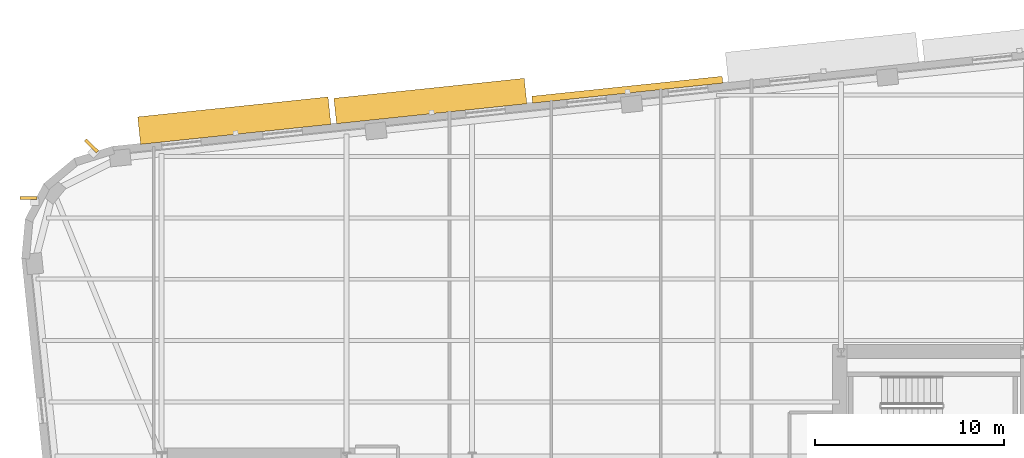
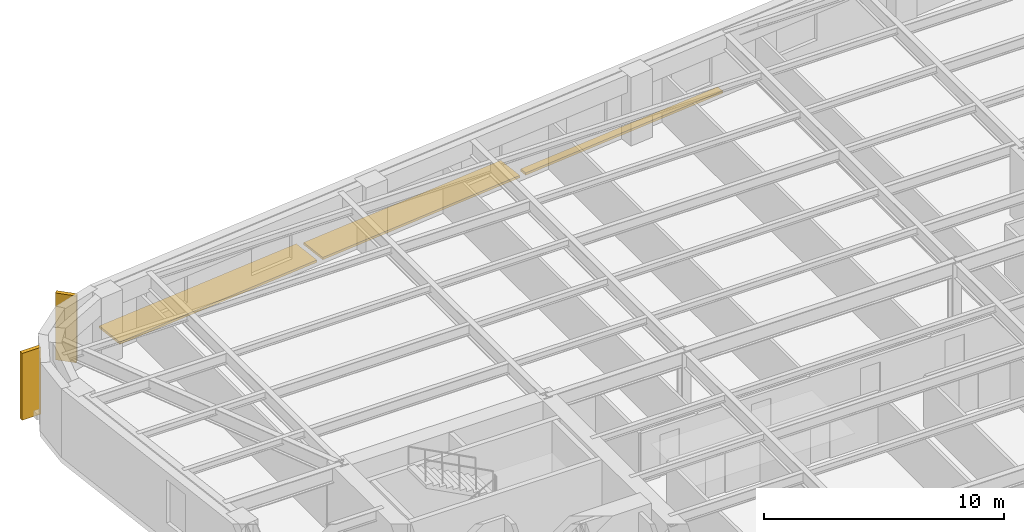
# One storey, part 13 of 15: 5 shading devices.
"""IFC4 building model written with IfcOpenShell, lengths in metres."""

import ifcopenshell
import ifcopenshell.guid

model = None  # the IFC model being written
_history = None  # IfcOwnerHistory: only IFC2X3 demands one
_inside = {}  # id of a spatial element -> (the spatial element, [elements in it])
_under = {}  # id of a project, library or spatial element -> (it, [spatial elements below it])
_declared = {}  # id of a project -> (the project, [libraries it declares])
_typed = {}  # id of a type object -> (the type object, [elements of that type])
_made_of = {}  # id of a material, layer set ... -> (it, [elements and type objects made of it])


def new_model(schema):
    """Start an empty IFC model of exactly this schema.

    Asked for "IFC4X3", IfcOpenShell would pick the latest addendum, in which some entities
    have other attributes; the version numbers below select the first issue.
    IFC2X3 requires an IfcOwnerHistory on every rooted entity: one is made here for all.
    """
    global model, _history
    if schema == "IFC4X3":
        model = ifcopenshell.file(schema_version=(4, 3, 0, 0))
    else:
        model = ifcopenshell.file(schema=schema)
    _inside.clear()
    _under.clear()
    _declared.clear()
    _typed.clear()
    _made_of.clear()
    _history = None
    if model.schema == "IFC2X3":
        org = make("IfcOrganization", Name="unknown")
        user = make(
            "IfcPersonAndOrganization",
            ThePerson=make("IfcPerson", FamilyName="unknown"),
            TheOrganization=org,
        )
        app = make(
            "IfcApplication",
            ApplicationDeveloper=org,
            Version="unknown",
            ApplicationFullName="unknown",
            ApplicationIdentifier="unknown",
        )
        _history = make(
            "IfcOwnerHistory",
            OwningUser=user,
            OwningApplication=app,
            ChangeAction="ADDED",
            CreationDate=0,
        )
    return model


def make(cls, **values):
    """One entity of the class cls with the attributes given. An attribute that is None is left unset."""
    return model.create_entity(
        cls, **{name: value for name, value in values.items() if value is not None}
    )


def rooted(cls, **values):
    """An entity with a GlobalId (a new one), such as an element, a storey or a relation."""
    return make(cls, GlobalId=ifcopenshell.guid.new(), OwnerHistory=_history, **values)


def si_unit(unit_type, name, prefix=None):
    """IfcSIUnit, for example si_unit("LENGTHUNIT", "METRE", prefix="MILLI")."""
    return make("IfcSIUnit", UnitType=unit_type, Prefix=prefix, Name=name)


def assignment(units):
    """IfcUnitAssignment: the units of a project."""
    return None if units is None else make("IfcUnitAssignment", Units=units)


def point(xyz):
    """IfcCartesianPoint."""
    return None if xyz is None else make("IfcCartesianPoint", Coordinates=xyz)


def direction(xyz):
    """IfcDirection."""
    return None if xyz is None else make("IfcDirection", DirectionRatios=xyz)


def frame(location, z_axis=None, x_axis=None):
    """IfcAxis2Placement3D, a coordinate frame: its origin and axes. An axis left out is left unset."""
    return make(
        "IfcAxis2Placement3D",
        Location=point(location),
        Axis=direction(z_axis),
        RefDirection=direction(x_axis),
    )


def frame_2d(location, x_axis=None):
    """IfcAxis2Placement2D, a coordinate frame in the plane: its origin and x axis."""
    return make(
        "IfcAxis2Placement2D", Location=point(location), RefDirection=direction(x_axis)
    )


def origin():
    """The frame at (0, 0, 0) with its axes left unset."""
    return frame((0.0, 0.0, 0.0))


def origin_2d():
    """The frame at (0, 0) in the plane with its x axis left unset."""
    return frame_2d((0.0, 0.0))


def place(relative_to, where):
    """IfcLocalPlacement: puts the frame where relative to a parent placement (None: the world)."""
    return make(
        "IfcLocalPlacement", PlacementRelTo=relative_to, RelativePlacement=where
    )


def context(
    kind, dimensions, precision=None, world=None, true_north=None, identifier=None
):
    """IfcGeometricRepresentationContext, for example the 3D "Model" context."""
    return make(
        "IfcGeometricRepresentationContext",
        ContextIdentifier=identifier,
        ContextType=kind,
        CoordinateSpaceDimension=dimensions,
        Precision=precision,
        WorldCoordinateSystem=world,
        TrueNorth=true_north,
    )


def subcontext(parent, identifier, kind, view, scale=None):
    """IfcGeometricRepresentationSubContext, for example "Body" below "Model"."""
    return make(
        "IfcGeometricRepresentationSubContext",
        ContextIdentifier=identifier,
        ContextType=kind,
        ParentContext=parent,
        TargetScale=scale,
        TargetView=view,
    )


def project(units=None, contexts=None):
    """IfcProject with its units and contexts."""
    return rooted(
        "IfcProject",
        Name="project",
        RepresentationContexts=contexts,
        UnitsInContext=assignment(units),
    )


def spatial(cls, under=None, at=None, **own):
    """A site, building, storey or space (cls), placed at a placement, below another one or the project."""
    s = rooted(cls, ObjectPlacement=at, **own)
    if under is not None:
        _under.setdefault(under.id(), (under, []))[1].append(s)
    return s


def profile(cls, at=None, kind="AREA", **sizes):
    """A parametric profile (cls). Its sizes go by their IFC names, for example OverallWidth=200.0."""
    return make(cls, ProfileType=kind, Position=at, **sizes)


def rectangle(**sizes):
    """IfcRectangleProfileDef."""
    return profile("IfcRectangleProfileDef", **sizes)


def extrude(swept, where, along, depth):
    """IfcExtrudedAreaSolid: the profile swept, set in the frame where, extruded along a direction by depth."""
    return make(
        "IfcExtrudedAreaSolid",
        SweptArea=swept,
        Position=where,
        ExtrudedDirection=direction(along),
        Depth=depth,
    )


def shape(context_of_items, identifier, shape_type, items):
    """IfcShapeRepresentation: the items that make up one representation, for example the "Body"."""
    return make(
        "IfcShapeRepresentation",
        ContextOfItems=context_of_items,
        RepresentationIdentifier=identifier,
        RepresentationType=shape_type,
        Items=items,
    )


def material(Name=None, Category=None):
    """IfcMaterial."""
    return make("IfcMaterial", Name=Name, Category=Category)


def made_of(thing, what):
    """Note that an element or type object is made of a material, layer set ...; save() writes the relation."""
    if what is not None:
        _made_of.setdefault(what.id(), (what, []))[1].append(thing)
    return thing


def type_object(cls, material=None, **own):
    """A type object (cls), such as IfcWallType, which elements share."""
    return made_of(rooted(cls, **own), material)


def element(
    cls,
    number,
    at=None,
    inside=None,
    cuts=None,
    type_object=None,
    material=None,
    context=None,
    identifier="Body",
    shape_type=None,
    held_by="IfcProductDefinitionShape",
    body=None,
    shapes=None,
    **own,
):
    """One element of the class cls, such as IfcWall. Its Tag is "e" and its number.

    at: its placement. inside: the storey or other place that contains it. cuts: it is an
    opening in that element (IfcRelVoidsElement). A single representation is given by context,
    identifier, shape_type and body (its items); several are given by shapes. held_by: the class
    of the entity that holds the representations. save() writes the other relations.
    """
    e = rooted(cls, Tag="e%d" % number, ObjectPlacement=at, **own)
    if body is not None:
        shapes = [shape(context, identifier, shape_type, body)]
    if shapes is not None:
        e.Representation = make(held_by, Representations=shapes)
    if inside is not None:
        _inside.setdefault(inside.id(), (inside, []))[1].append(e)
    if cuts is not None:
        rooted(
            "IfcRelVoidsElement", RelatingBuildingElement=cuts, RelatedOpeningElement=e
        )
    if type_object is not None:
        _typed.setdefault(type_object.id(), (type_object, []))[1].append(e)
    return made_of(e, material)


def aggregate(whole, parts):
    """IfcRelAggregates: a whole, such as a stair, and the parts it consists of."""
    return rooted("IfcRelAggregates", RelatingObject=whole, RelatedObjects=parts)


def save(model, path):
    """Write the relations noted so far, then the file.

    IfcRelAggregates (storeys below a building ...), IfcRelContainedInSpatialStructure (elements
    in a storey), IfcRelDefinesByType, IfcRelAssociatesMaterial and IfcRelDeclares: one each for
    every whole, place, type object, material and project.
    """
    for whole, parts in _under.values():
        aggregate(whole, parts)
    for where, things in _inside.values():
        rooted(
            "IfcRelContainedInSpatialStructure",
            RelatedElements=things,
            RelatingStructure=where,
        )
    for kind, things in _typed.values():
        rooted("IfcRelDefinesByType", RelatedObjects=things, RelatingType=kind)
    for what, things in _made_of.values():
        rooted("IfcRelAssociatesMaterial", RelatedObjects=things, RelatingMaterial=what)
    for by, libraries in _declared.values():
        rooted("IfcRelDeclares", RelatingContext=by, RelatedDefinitions=libraries)
    model.write(path)


model = new_model("IFC4")

# Units and contexts
model_context = context("Model", 3, precision=1e-05, world=origin(), true_north=direction((0.0, 1.0)))
body_context = subcontext(model_context, "Body", "Model", "MODEL_VIEW")
ifc_project = project(units=[si_unit("LENGTHUNIT", "METRE"), si_unit("AREAUNIT", "SQUARE_METRE"), si_unit("VOLUMEUNIT", "CUBIC_METRE"), si_unit("PLANEANGLEUNIT", "RADIAN"), si_unit("MASSUNIT", "GRAM", prefix="KILO")], contexts=[model_context])

# Site, building, storey
site_placement = place(None, origin())
site = spatial("IfcSite", under=ifc_project, at=site_placement, CompositionType="ELEMENT")
building_placement = place(site_placement, origin())
building = spatial("IfcBuilding", under=site, at=building_placement, Name="Kolvaren Arena Tower", CompositionType="ELEMENT")
storey_placement = place(building_placement, frame((0.0, 0.0, 107.199951171875)))
storey = spatial("IfcBuildingStorey", under=building, at=storey_placement, Name="L24", CompositionType="ELEMENT", Elevation=107.199951171875)

# Shading devices
ifc_material_1 = material(Name="Precast architectural concrete C50/60 rib fin", Category="concrete")
shading_device_type_1 = type_object("IfcShadingDeviceType", Name="SHAD-FIN-28", PredefinedType="USERDEFINED", material=ifc_material_1)
for number, where, z_axis, x_axis, name in (
    (1, (10.82373046875, 50.31982421875, 0.02001953125), (0.0, 0.0, 1.0), (-0.710184146885, 0.704015963962, 0.0), "Precast 28-Deg Corner Rib Fin (L24)"),
    (2, (7.495361328125, 47.5517578125, 0.02001953125), (0.0, 0.0, 1.0), (-0.999990541547, -0.004349346783, 0.0), "Precast 28-Deg Corner Rib Fin (L24)"),
):
    element("IfcShadingDevice", number, at=place(storey_placement, frame(where, z_axis=z_axis, x_axis=x_axis)), inside=storey, type_object=shading_device_type_1, Name=name, ObjectType="FIN", PredefinedType="USERDEFINED", context=body_context, shape_type="SweptSolid", body=[
        extrude(rectangle(XDim=0.89990234375, YDim=0.179931640625, at=origin_2d()), origin(), (0.0, 0.0, 1.0), 3.39990234375),
    ])
ifc_material_2 = material(Name="Architectural precast GFRC and anodised aluminium sunshade", Category="concrete")
shading_device_type_2 = type_object("IfcShadingDeviceType", Name="SHAD-SINE-A", PredefinedType="USERDEFINED", material=ifc_material_2)
shading_device_1_placement = place(storey_placement, frame((39.222412109375, 53.290283203125, -0.139892578125), z_axis=(0.0, 0.0, 1.0), x_axis=(0.994522077803, 0.104526727499, 0.0)))
element("IfcShadingDevice", 3, at=shading_device_1_placement, inside=storey, type_object=shading_device_type_2, Name="Sinusoidal Slab-Edge Sunshade Louvre (L24)", ObjectType="LOUVRE", PredefinedType="USERDEFINED", context=body_context, shape_type="SweptSolid", body=[
    extrude(rectangle(XDim=10.139892578125, YDim=0.36669921875, at=origin_2d()), origin(), (0.0, 0.0, 1.0), 0.1201171875),
])
shading_device_type_3 = type_object("IfcShadingDeviceType", Name="SHAD-SINE-B", PredefinedType="JALOUSIE", material=ifc_material_2)
shading_device_2_placement = place(storey_placement, frame((18.3994140625, 51.652099609375, -0.139892578125), z_axis=(0.0, 0.0, 1.0), x_axis=(0.994522077803, 0.104526727499, 0.0)))
element("IfcShadingDevice", 4, at=shading_device_2_placement, inside=storey, type_object=shading_device_type_3, Name="Sinusoidal Slab-Edge Sunshade Louvre (L24)", PredefinedType="JALOUSIE", context=body_context, shape_type="SweptSolid", body=[
    extrude(rectangle(XDim=10.139892578125, YDim=1.461181640625, at=origin_2d()), origin(), (0.0, 0.0, 1.0), 0.1201171875),
])
shading_device_3_placement = place(storey_placement, frame((28.787841796875, 52.690673828125, -0.139892578125), z_axis=(0.0, 0.0, 1.0), x_axis=(0.994522077803, 0.104526727499, 0.0)))
element("IfcShadingDevice", 5, at=shading_device_3_placement, inside=storey, type_object=shading_device_type_3, Name="Sinusoidal Slab-Edge Sunshade Louvre (L24)", PredefinedType="JALOUSIE", context=body_context, shape_type="SweptSolid", body=[
    extrude(rectangle(XDim=10.139892578125, YDim=1.35498046875, at=origin_2d()), origin(), (0.0, 0.0, 1.0), 0.1201171875),
])

save(model, "model.ifc")
